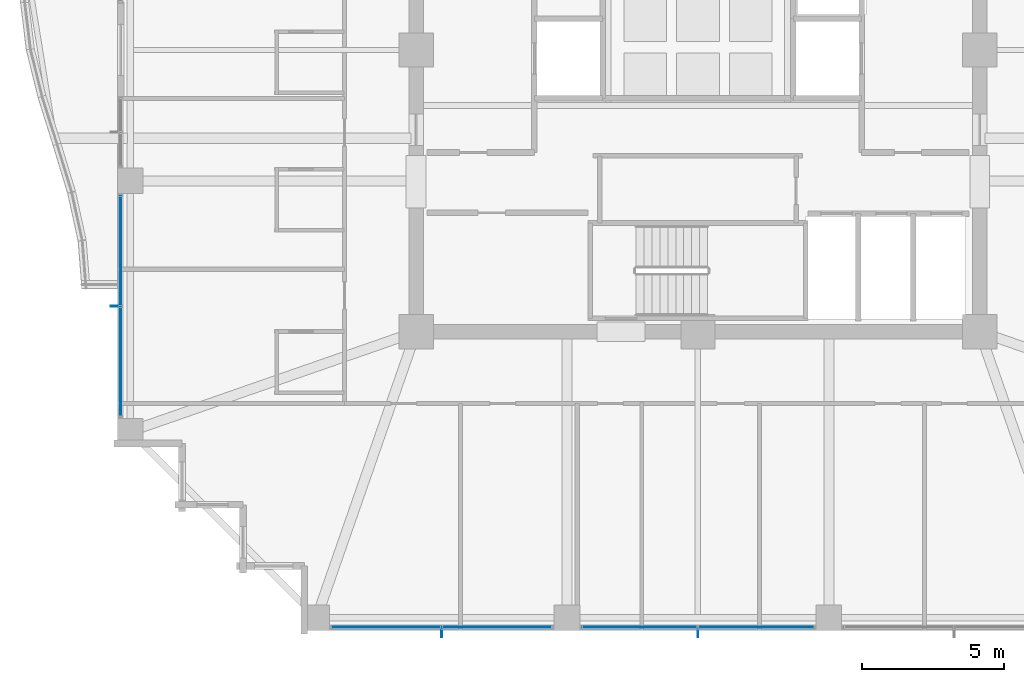
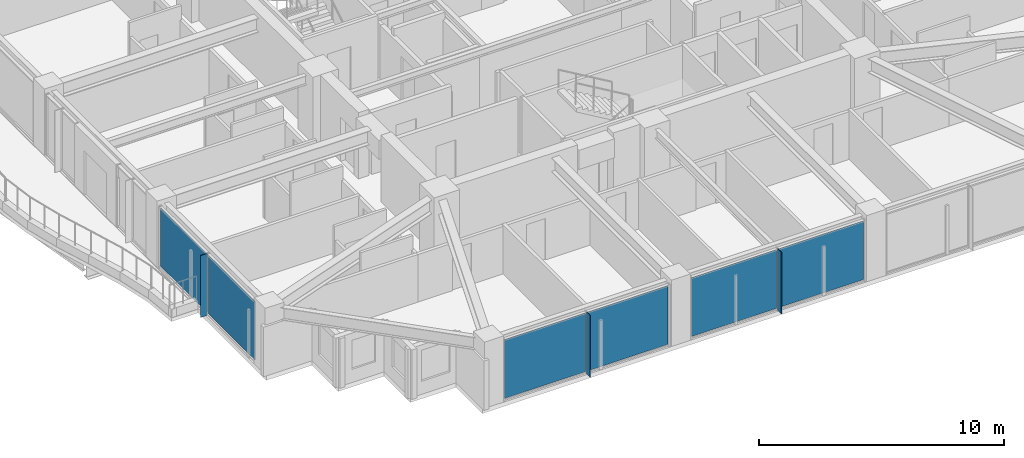
# One storey, part 21 of 34: 9 plates, 3 elements without a shape of their own.
"""IFC4 building model written with IfcOpenShell, lengths in metres."""

from ifc_helpers import new_model, si_unit, direction, frame, origin, origin_2d, place, context, subcontext, project, spatial, rectangle, extrude, material, layer, layer_set, type_object, element, aggregate, save


model = new_model("IFC4")

# Units and contexts
model_context = context("Model", 3, precision=1e-05, world=origin(), true_north=direction((0.0, 1.0)))
body_context = subcontext(model_context, "Body", "Model", "MODEL_VIEW")
ifc_project = project(units=[si_unit("LENGTHUNIT", "METRE"), si_unit("AREAUNIT", "SQUARE_METRE"), si_unit("VOLUMEUNIT", "CUBIC_METRE"), si_unit("PLANEANGLEUNIT", "RADIAN"), si_unit("MASSUNIT", "GRAM", prefix="KILO")], contexts=[model_context])

# Site, building, storey
site_placement = place(None, origin())
site = spatial("IfcSite", under=ifc_project, at=site_placement, CompositionType="ELEMENT")
building_placement = place(site_placement, origin())
building = spatial("IfcBuilding", under=site, at=building_placement, Name="Kolvaren Belvedere", CompositionType="ELEMENT")
storey_placement = place(building_placement, frame((0.0, 0.0, 189.89990234375)))
storey = spatial("IfcBuildingStorey", under=building, at=storey_placement, Name="L55", CompositionType="ELEMENT", Elevation=189.89990234375)

# Curtain wall, plates
ifc_material_1 = material(Name="Anodised pale-metal aluminium AA 6063-T6", Category="aluminium")
curtain_wall_type = type_object("IfcCurtainWallType", Name="CW-Z5-HIGH", PredefinedType="NOTDEFINED", material=ifc_material_1)
curtain_wall_1_placement = place(storey_placement, origin())
curtain_wall_1 = element("IfcCurtainWall", 1, at=curtain_wall_1_placement, inside=storey, type_object=curtain_wall_type, Name="L55 Unitised Curtain Wall FCW-L55-S-B2", PredefinedType="NOTDEFINED")
ifc_material_2 = material(Name="Low-iron triple insulated glass", Category="glass")
ifc_layer_1 = layer(ifc_material_2, 0.028076171875)
ifc_layer_set_1 = layer_set([ifc_layer_1], Name="Low-iron triple insulated glass")
plate_type_1 = type_object("IfcPlateType", Name="CW-PNL-VIS28", PredefinedType="CURTAIN_PANEL", material=ifc_layer_set_1)
plate_1_placement = place(storey_placement, frame((2.047607421875, -20.280029296875, 0.080078125), z_axis=(0.0, 0.0, 1.0), x_axis=(-1.0, 0.0, 0.0)))
plate_1 = element("IfcPlate", 2, at=plate_1_placement, type_object=plate_type_1, Name="FCW-L55-S-B2 Vision Glazing Panel 1", PredefinedType="CURTAIN_PANEL", context=body_context, shape_type="SweptSolid", body=[
    extrude(rectangle(XDim=4.014892578125, YDim=0.028076171875, at=origin_2d()), origin(), (0.0, 0.0, 1.0), 2.919921875),
])
plate_2_placement = place(storey_placement, frame((-2.047607421875, -20.280029296875, 0.080078125), z_axis=(0.0, 0.0, 1.0), x_axis=(-1.0, 0.0, 0.0)))
plate_2 = element("IfcPlate", 3, at=plate_2_placement, type_object=plate_type_1, Name="FCW-L55-S-B2 Vision Glazing Panel 2", PredefinedType="CURTAIN_PANEL", context=body_context, shape_type="SweptSolid", body=[
    extrude(rectangle(XDim=4.014892578125, YDim=0.028076171875, at=origin_2d()), origin(), (0.0, 0.0, 1.0), 2.919921875),
])
aggregate(curtain_wall_1, [plate_1, plate_2])

curtain_wall_2_placement = place(storey_placement, origin())
curtain_wall_2 = element("IfcCurtainWall", 4, at=curtain_wall_2_placement, inside=storey, type_object=curtain_wall_type, Name="L55 Unitised Curtain Wall FCW-L55-S-B3", PredefinedType="NOTDEFINED")
plate_3_placement = place(storey_placement, frame((-7.052490234375, -20.280029296875, 0.080078125), z_axis=(0.0, 0.0, 1.0), x_axis=(-1.0, 0.0, 0.0)))
plate_3 = element("IfcPlate", 5, at=plate_3_placement, type_object=plate_type_1, Name="FCW-L55-S-B3 Vision Glazing Panel 1", PredefinedType="CURTAIN_PANEL", context=body_context, shape_type="SweptSolid", body=[
    extrude(rectangle(XDim=3.81494140625, YDim=0.028076171875, at=origin_2d()), origin(), (0.0, 0.0, 1.0), 2.919921875),
])
plate_4_placement = place(storey_placement, frame((-10.947509765625, -20.280029296875, 0.080078125), z_axis=(0.0, 0.0, 1.0), x_axis=(-1.0, 0.0, 0.0)))
plate_4 = element("IfcPlate", 6, at=plate_4_placement, type_object=plate_type_1, Name="FCW-L55-S-B3 Vision Glazing Panel 2", PredefinedType="CURTAIN_PANEL", context=body_context, shape_type="SweptSolid", body=[
    extrude(rectangle(XDim=3.81494140625, YDim=0.028076171875, at=origin_2d()), origin(), (0.0, 0.0, 1.0), 2.919921875),
])
aggregate(curtain_wall_2, [plate_3, plate_4])

curtain_wall_3_placement = place(storey_placement, origin())
curtain_wall_3 = element("IfcCurtainWall", 7, at=curtain_wall_3_placement, inside=storey, type_object=curtain_wall_type, Name="L55 Unitised Curtain Wall FCW-L55-W1-B1", PredefinedType="NOTDEFINED")
plate_5_placement = place(storey_placement, frame((-20.280029296875, -10.947509765625, 0.080078125), z_axis=(0.0, 0.0, 1.0), x_axis=(0.0, 1.0, 0.0)))
plate_5 = element("IfcPlate", 8, at=plate_5_placement, type_object=plate_type_1, Name="FCW-L55-W1-B1 Vision Glazing Panel 1", PredefinedType="CURTAIN_PANEL", context=body_context, shape_type="SweptSolid", body=[
    extrude(rectangle(XDim=3.81494140625, YDim=0.028076171875, at=origin_2d()), origin(), (0.0, 0.0, 1.0), 2.919921875),
])
plate_6_placement = place(storey_placement, frame((-20.280029296875, -7.052490234375, 0.080078125), z_axis=(0.0, 0.0, 1.0), x_axis=(0.0, 1.0, 0.0)))
plate_6 = element("IfcPlate", 9, at=plate_6_placement, type_object=plate_type_1, Name="FCW-L55-W1-B1 Vision Glazing Panel 2", PredefinedType="CURTAIN_PANEL", context=body_context, shape_type="SweptSolid", body=[
    extrude(rectangle(XDim=3.81494140625, YDim=0.028076171875, at=origin_2d()), origin(), (0.0, 0.0, 1.0), 2.919921875),
])
aggregate(curtain_wall_3, [plate_5, plate_6])

# Plates
ifc_material_3 = material(Name="Anodised pale-metal aluminium AA 6063-T6", Category="aluminium")
ifc_layer_2 = layer(ifc_material_3, 0.030029296875)
ifc_layer_set_2 = layer_set([ifc_layer_2], Name="Anodised pale-metal aluminium AA 6063-T6")
plate_type_2 = type_object("IfcPlateType", Name="FIN-VERT-300", PredefinedType="USERDEFINED", material=ifc_layer_set_2)
for number, where, z_axis, x_axis, name in (
    (10, (0.0, -20.489990234375, 0.0), (0.0, 0.0, 1.0), (0.0, 1.0, 0.0), "L55 Pale-Metal Vertical Shading Fin FCW-L55-S-B2-1"),
    (11, (-9.0, -20.489990234375, 0.0), (0.0, 0.0, 1.0), (0.0, 1.0, 0.0), "L55 Pale-Metal Vertical Shading Fin FCW-L55-S-B3-1"),
    (12, (-20.489990234375, -9.0, 0.0), (0.0, 0.0, 1.0), (1.0, 0.0, 0.0), "L55 Pale-Metal Vertical Shading Fin FCW-L55-W1-B1-1"),
):
    element("IfcPlate", number, at=place(storey_placement, frame(where, z_axis=z_axis, x_axis=x_axis)), inside=storey, type_object=plate_type_2, Name=name, ObjectType="VERTICAL FIN", PredefinedType="USERDEFINED", context=body_context, shape_type="SweptSolid", body=[
        extrude(rectangle(XDim=0.300048828125, YDim=0.030029296875, at=origin_2d()), origin(), (0.0, 0.0, 1.0), 3.080078125),
    ])

save(model, "model.ifc")
